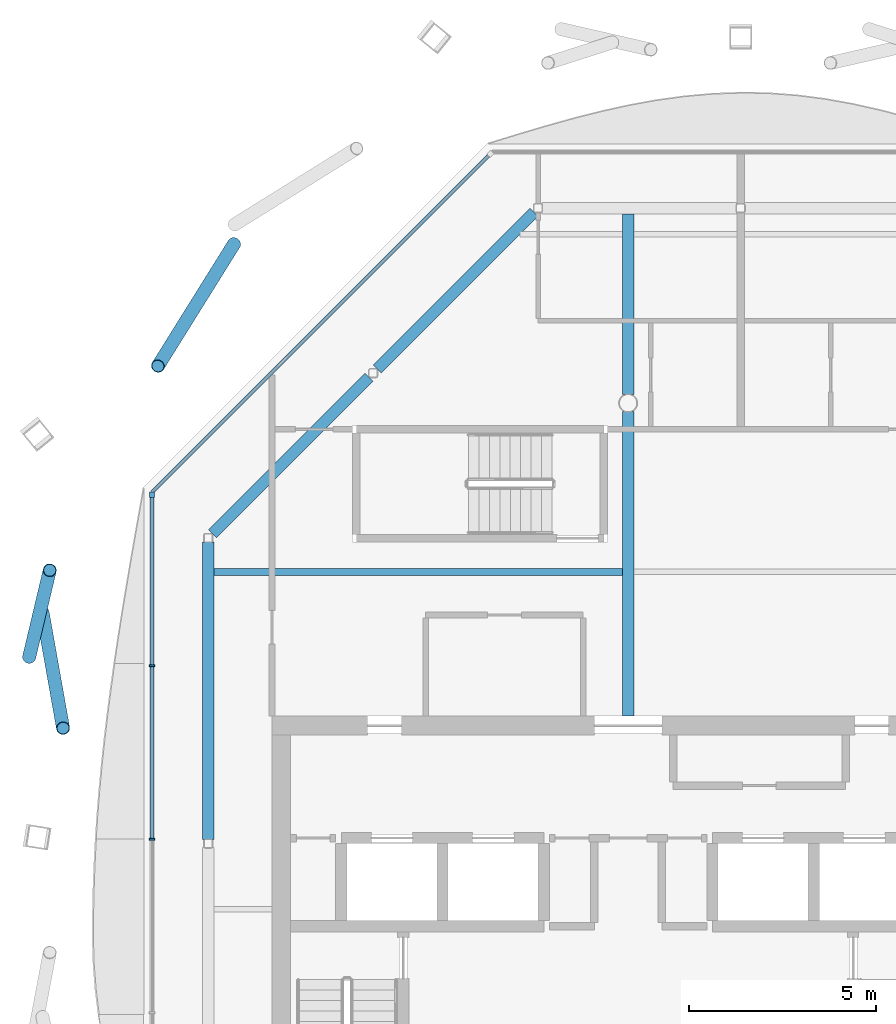
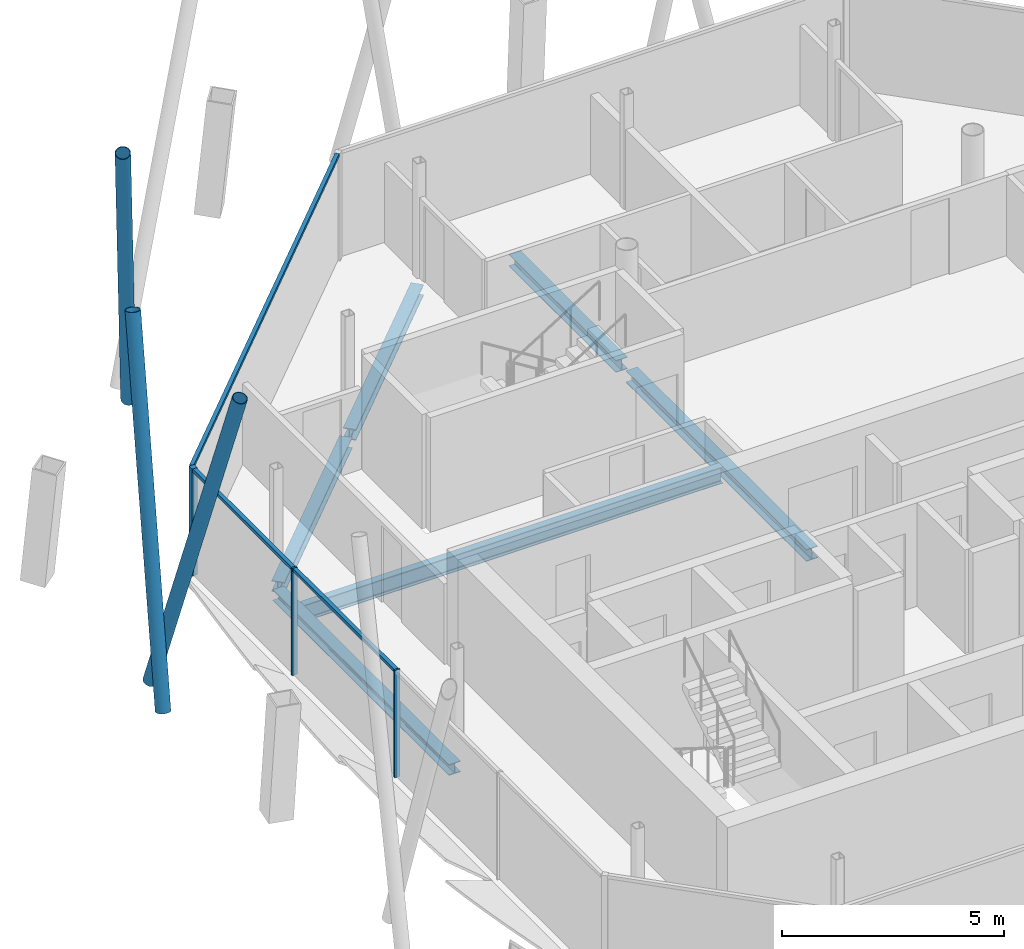
# One storey, part 5 of 13: 9 members, 6 beams, 2 elements without a shape of their own.
"""IFC4 building model written with IfcOpenShell, lengths in metres."""

from ifc_helpers import new_model, si_unit, direction, frame, origin, origin_2d, place, context, subcontext, project, spatial, rectangle, hollow_circle, i_section, extrude, material, material_profile, profile_set, type_object, element, aggregate, save


model = new_model("IFC4")

# Units and contexts
model_context = context("Model", 3, precision=1e-05, world=origin(), true_north=direction((0.0, 1.0)))
body_context = subcontext(model_context, "Body", "Model", "MODEL_VIEW")
ifc_project = project(units=[si_unit("LENGTHUNIT", "METRE"), si_unit("AREAUNIT", "SQUARE_METRE"), si_unit("VOLUMEUNIT", "CUBIC_METRE"), si_unit("PLANEANGLEUNIT", "RADIAN"), si_unit("MASSUNIT", "GRAM", prefix="KILO")], contexts=[model_context])

# Site, building, storey
site_placement = place(None, origin())
site = spatial("IfcSite", under=ifc_project, at=site_placement, CompositionType="ELEMENT")
building_placement = place(site_placement, origin())
building = spatial("IfcBuilding", under=site, at=building_placement, Name="Tskaro Facet Tower", CompositionType="ELEMENT")
storey_placement = place(building_placement, frame((0.0, 0.0, 278.39990234375)))
storey = spatial("IfcBuildingStorey", under=building, at=storey_placement, Name="L74", CompositionType="ELEMENT", Elevation=278.39990234375)

# Members
ifc_material_1 = material(Name="Steel S355J2H", Category="steel")
ifc_material_profile_1 = material_profile(ifc_material_1, hollow_circle(Radius=0.177734375, WallThickness=0.01611328125, at=origin_2d()), Name="CHS 355.6x16")
ifc_profile_set_1 = profile_set([ifc_material_profile_1], Name="Steel S355J2H")
member_type_1 = type_object("IfcMemberType", Name="CHS 355.6x16 brace", PredefinedType="BRACE", material=ifc_profile_set_1)
member_1_placement = place(storey_placement, frame((-10.51123046875, 13.247802734375, 0.0), z_axis=(-0.199239620031, -0.319549238036, 0.926386451909), x_axis=(0.848569080669, -0.529084601301, 0.0)))
element("IfcMember", 1, at=member_1_placement, inside=storey, type_object=member_type_1, Name="CHS 355.6x16 XB09A/6", PredefinedType="BRACE", context=body_context, shape_type="SweptSolid", body=[
    extrude(hollow_circle(Radius=0.177734375, WallThickness=0.01611328125, at=origin_2d()), origin(), (0.0, 0.0, 1.0), 10.201171875),
])
member_2_placement = place(storey_placement, frame((-15.61962890625, 3.410888671875, 0.0), z_axis=(0.055010381718, -0.309436462833, 0.949327621727), x_axis=(0.984562806625, 0.175031653742, 0.0)))
element("IfcMember", 2, at=member_2_placement, inside=storey, type_object=member_type_1, Name="CHS 355.6x16 XB10A/6", PredefinedType="BRACE", context=body_context, shape_type="SweptSolid", body=[
    extrude(hollow_circle(Radius=0.177734375, WallThickness=0.01611328125, at=origin_2d()), origin(), (0.0, 0.0, 1.0), 9.95458984375),
])
member_3_placement = place(storey_placement, frame((-15.975341796875, 2.23095703125, 0.0), z_axis=(0.056223337765, 0.237220393029, 0.969827521481), x_axis=(-0.973043884015, 0.230620033347, 0.0)))
element("IfcMember", 3, at=member_3_placement, inside=storey, type_object=member_type_1, Name="CHS 355.6x16 XB10B/6", PredefinedType="BRACE", context=body_context, shape_type="SweptSolid", body=[
    extrude(hollow_circle(Radius=0.177734375, WallThickness=0.01611328125, at=origin_2d()), origin(), (0.0, 0.0, 1.0), 9.744140625),
])

# Curtain wall, members
ifc_material_2 = material(Name="Bronze anodised aluminium 6063-T6", Category="aluminium")
curtain_wall_type = type_object("IfcCurtainWallType", Name="Bronze residence curtain wall (FW3)", PredefinedType="NOTDEFINED", material=ifc_material_2)
curtain_wall_1_placement = place(storey_placement, origin())
curtain_wall_1 = element("IfcCurtainWall", 4, at=curtain_wall_1_placement, inside=storey, type_object=curtain_wall_type, Name="FW3 west facet L74", PredefinedType="NOTDEFINED")
ifc_material_profile_2 = material_profile(ifc_material_2, rectangle(XDim=0.139892578125, YDim=0.139892578125, at=origin_2d()), Name="Corner post 140x140")
ifc_profile_set_2 = profile_set([ifc_material_profile_2], Name="Bronze anodised aluminium 6063-T6")
member_type_2 = type_object("IfcMemberType", Name="FW3 bronze corner post 140x140", PredefinedType="MULLION", material=ifc_profile_set_2)
member_4_placement = place(storey_placement, frame((-12.697998046875, 6.555908203125, 0.0), z_axis=(0.0, 0.0, 1.0), x_axis=(0.0, -1.0, 0.0)))
member_4 = element("IfcMember", 5, at=member_4_placement, type_object=member_type_2, Name="FW3 west corner post", PredefinedType="MULLION", context=body_context, shape_type="SweptSolid", body=[
    extrude(rectangle(XDim=0.139892578125, YDim=0.139892578125, at=origin_2d()), origin(), (0.0, 0.0, 1.0), 2.9501953125),
])
ifc_material_profile_3 = material_profile(ifc_material_2, rectangle(XDim=0.050048828125, YDim=0.139892578125, at=origin_2d()), Name="Mullion 50x140")
ifc_profile_set_3 = profile_set([ifc_material_profile_3], Name="Bronze anodised aluminium 6063-T6")
member_type_3 = type_object("IfcMemberType", Name="FW3 bronze mullion 50x140", PredefinedType="MULLION", material=ifc_profile_set_3)
member_5_placement = place(storey_placement, frame((-12.697998046875, 1.997802734375, 0.0), z_axis=(0.0, 0.0, 1.0), x_axis=(0.0, -1.0, 0.0)))
member_5 = element("IfcMember", 6, at=member_5_placement, type_object=member_type_3, Name="FW3 west mullion 1", PredefinedType="MULLION", context=body_context, shape_type="SweptSolid", body=[
    extrude(rectangle(XDim=0.050048828125, YDim=0.139892578125, at=origin_2d()), origin(), (0.0, 0.0, 1.0), 2.9501953125),
])
member_6_placement = place(storey_placement, frame((-12.697998046875, -2.630615234375, 0.0), z_axis=(0.0, 0.0, 1.0), x_axis=(0.0, -1.0, 0.0)))
member_6 = element("IfcMember", 7, at=member_6_placement, type_object=member_type_3, Name="FW3 west mullion 2", PredefinedType="MULLION", context=body_context, shape_type="SweptSolid", body=[
    extrude(rectangle(XDim=0.050048828125, YDim=0.139892578125, at=origin_2d()), origin(), (0.0, 0.0, 1.0), 2.9501953125),
])

# Curtain wall, member
curtain_wall_2_placement = place(storey_placement, origin())
curtain_wall_2 = element("IfcCurtainWall", 8, at=curtain_wall_2_placement, inside=storey, type_object=curtain_wall_type, Name="FW3 north-west facet L74", PredefinedType="NOTDEFINED")
ifc_material_profile_4 = material_profile(ifc_material_2, rectangle(XDim=0.10009765625, YDim=0.090087890625, at=origin_2d()), Name="Transom 100x90")
ifc_profile_set_4 = profile_set([ifc_material_profile_4], Name="Bronze anodised aluminium 6063-T6")
member_type_4 = type_object("IfcMemberType", Name="FW3 bronze transom 100x90", PredefinedType="USERDEFINED", material=ifc_profile_set_4)
member_7_placement = place(storey_placement, frame((-3.72509765625, 15.59912109375, 2.905029296875), z_axis=(-0.707097161537, -0.707116400705, 0.0), x_axis=(0.707116400705, -0.707097161537, 0.0)))
member_7 = element("IfcMember", 9, at=member_7_placement, type_object=member_type_4, Name="FW3 north-west transom 1.1", ObjectType="TRANSOM", PredefinedType="USERDEFINED", context=body_context, shape_type="SweptSolid", body=[
    extrude(rectangle(XDim=0.10009765625, YDim=0.090087890625, at=origin_2d()), origin(), (0.0, 0.0, 1.0), 12.689697265625),
])
aggregate(curtain_wall_2, [member_7])

# Member
member_8_placement = place(storey_placement, frame((-12.697998046875, 6.486083984375, 2.905029296875), z_axis=(0.0, -1.0, 0.0), x_axis=(1.0, 0.0, 0.0)))
member_8 = element("IfcMember", 10, at=member_8_placement, type_object=member_type_4, Name="FW3 west transom 1.1", ObjectType="TRANSOM", PredefinedType="USERDEFINED", context=body_context, shape_type="SweptSolid", body=[
    extrude(rectangle(XDim=0.10009765625, YDim=0.090087890625, at=origin_2d()), origin(), (0.0, 0.0, 1.0), 4.46337890625),
])

member_9_placement = place(storey_placement, frame((-12.697998046875, 1.97265625, 2.905029296875), z_axis=(0.0, -1.0, 0.0), x_axis=(1.0, 0.0, 0.0)))
member_9 = element("IfcMember", 11, at=member_9_placement, type_object=member_type_4, Name="FW3 west transom 2.1", ObjectType="TRANSOM", PredefinedType="USERDEFINED", context=body_context, shape_type="SweptSolid", body=[
    extrude(rectangle(XDim=0.10009765625, YDim=0.090087890625, at=origin_2d()), origin(), (0.0, 0.0, 1.0), 4.578125),
])

aggregate(curtain_wall_1, [member_4, member_5, member_6, member_8, member_9])

# Beams
ifc_material_3 = material(Name="Steel S355J2", Category="steel")
ifc_material_profile_5 = material_profile(ifc_material_3, i_section(OverallWidth=0.300048828125, OverallDepth=0.300048828125, WebThickness=0.010986328125, FlangeThickness=0.01904296875, FilletRadius=0.027099609375, at=origin_2d()), Name="HE 300 B")
ifc_profile_set_5 = profile_set([ifc_material_profile_5], Name="Steel S355J2")
beam_type_1 = type_object("IfcBeamType", Name="HE 300 B ring beam", PredefinedType="BEAM", material=ifc_profile_set_5)
for number, where, z_axis, x_axis, name in (
    (12, (-2.513916015625, 14.089111328125, -0.289794921875), (-0.707024112481, -0.707189440228, 0.0), (0.707189440228, -0.707024112481, 0.0), "HE 300 B EB11-6"),
    (13, (-6.911865234375, 9.690185546875, -0.289794921875), (-0.707189440228, -0.707024112481, 0.0), (0.707024112481, -0.707189440228, 0.0), "HE 300 B EB12-6"),
):
    element("IfcBeam", number, at=place(storey_placement, frame(where, z_axis=z_axis, x_axis=x_axis)), inside=storey, type_object=beam_type_1, Name=name, PredefinedType="BEAM", context=body_context, shape_type="SweptSolid", body=[
        extrude(i_section(OverallWidth=0.300048828125, OverallDepth=0.300048828125, WebThickness=0.010986328125, FlangeThickness=0.01904296875, FilletRadius=0.027099609375, at=origin_2d()), origin(), (0.0, 0.0, 1.0), 5.90673828125),
    ])
beam_1_placement = place(storey_placement, frame((-11.199951171875, 5.298095703125, -0.289794921875), z_axis=(0.0, -1.0, 0.0), x_axis=(1.0, 0.0, 0.0)))
element("IfcBeam", 14, at=beam_1_placement, inside=storey, type_object=beam_type_1, Name="HE 300 B EB13-6", PredefinedType="BEAM", context=body_context, shape_type="SweptSolid", body=[
    extrude(i_section(OverallWidth=0.300048828125, OverallDepth=0.300048828125, WebThickness=0.010986328125, FlangeThickness=0.01904296875, FilletRadius=0.027099609375, at=origin_2d()), origin(), (0.0, 0.0, 1.0), 7.943115234375),
])
ifc_material_profile_6 = material_profile(ifc_material_3, i_section(OverallWidth=0.300048828125, OverallDepth=0.330078125, WebThickness=0.009521484375, FlangeThickness=0.0166015625, FilletRadius=0.027099609375, at=origin_2d()), Name="HE 340 A")
ifc_profile_set_6 = profile_set([ifc_material_profile_6], Name="Steel S355J2")
beam_type_2 = type_object("IfcBeamType", Name="HE 340 A girder", PredefinedType="BEAM", material=ifc_profile_set_6)
beam_2_placement = place(storey_placement, frame((0.0, 0.64990234375, -0.304931640625), z_axis=(0.0, 1.0, 0.0), x_axis=(-1.0, 0.0, 0.0)))
element("IfcBeam", 15, at=beam_2_placement, inside=storey, type_object=beam_type_2, Name="HE 340 A GB4-2-6", PredefinedType="BEAM", context=body_context, shape_type="SweptSolid", body=[
    extrude(i_section(OverallWidth=0.300048828125, OverallDepth=0.330078125, WebThickness=0.009521484375, FlangeThickness=0.0166015625, FilletRadius=0.027099609375, at=origin_2d()), origin(), (0.0, 0.0, 1.0), 8.1259765625),
])
beam_3_placement = place(storey_placement, frame((0.0, 9.22412109375, -0.304931640625), z_axis=(0.0, 1.0, 0.0), x_axis=(-1.0, 0.0, 0.0)))
element("IfcBeam", 16, at=beam_3_placement, inside=storey, type_object=beam_type_2, Name="HE 340 A GB4-3-6", PredefinedType="BEAM", context=body_context, shape_type="SweptSolid", body=[
    extrude(i_section(OverallWidth=0.300048828125, OverallDepth=0.330078125, WebThickness=0.009521484375, FlangeThickness=0.0166015625, FilletRadius=0.027099609375, at=origin_2d()), origin(), (0.0, 0.0, 1.0), 4.825927734375),
])
ifc_material_profile_7 = material_profile(ifc_material_3, i_section(OverallWidth=0.18994140625, OverallDepth=0.449951171875, WebThickness=0.009521484375, FlangeThickness=0.0146484375, FilletRadius=0.02099609375, at=origin_2d()), Name="IPE 450")
ifc_profile_set_7 = profile_set([ifc_material_profile_7], Name="Steel S355J2")
beam_type_3 = type_object("IfcBeamType", Name="IPE 450 long secondary beam", PredefinedType="BEAM", material=ifc_profile_set_7)
beam_4_placement = place(storey_placement, frame((-11.050048828125, 4.5, -0.364990234375), z_axis=(1.0, 0.0, 0.0), x_axis=(0.0, 1.0, 0.0)))
element("IfcBeam", 17, at=beam_4_placement, inside=storey, type_object=beam_type_3, Name="IPE 450 LSB4a-1-6", PredefinedType="BEAM", context=body_context, shape_type="SweptSolid", body=[
    extrude(i_section(OverallWidth=0.18994140625, OverallDepth=0.449951171875, WebThickness=0.009521484375, FlangeThickness=0.0146484375, FilletRadius=0.02099609375, at=origin_2d()), origin(), (0.0, 0.0, 1.0), 10.900146484375),
])

save(model, "model.ifc")
